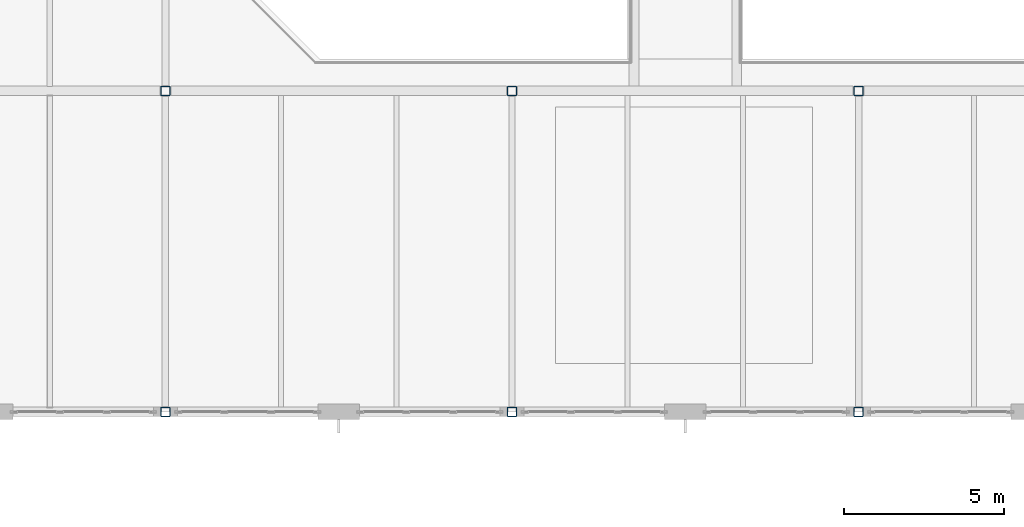
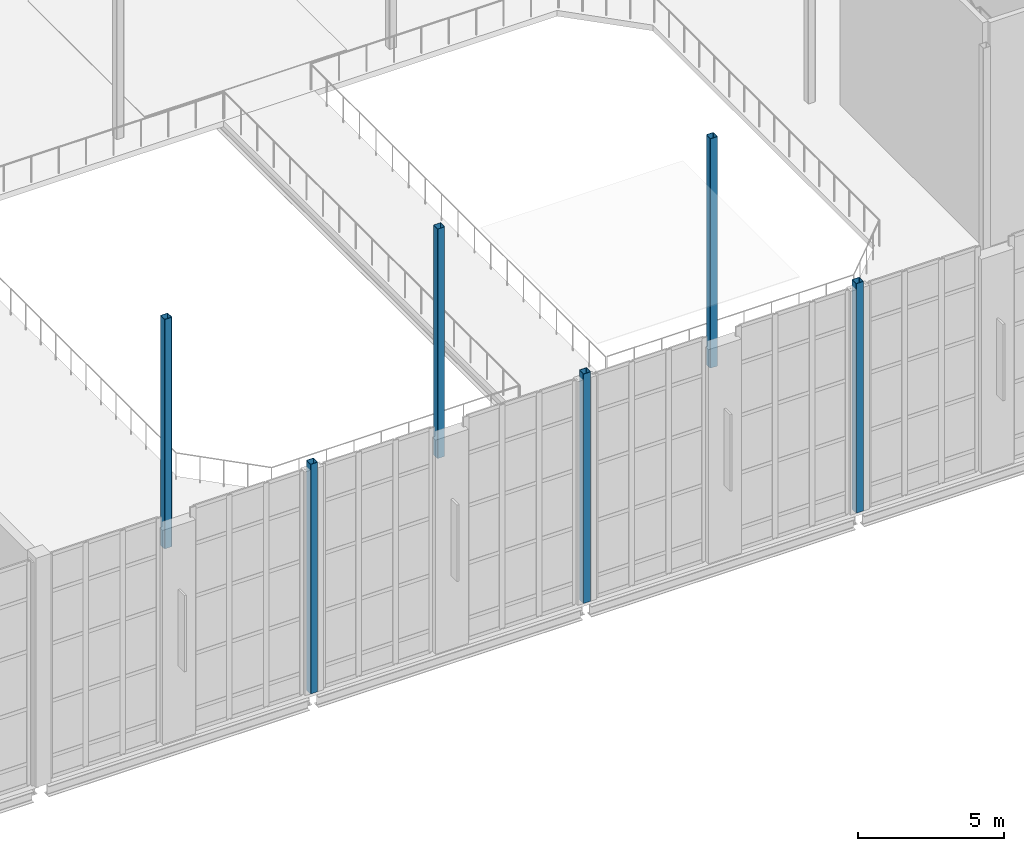
# One storey, part 4 of 100: 6 columns.
"""IFC4 building model written with IfcOpenShell, lengths in metres."""

from ifc_helpers import new_model, si_unit, direction, frame, origin, origin_2d, place, context, subcontext, project, spatial, hollow_rectangle, extrude, material, material_profile, profile_set, type_object, element, save


model = new_model("IFC4")

# Units and contexts
model_context = context("Model", 3, precision=1e-05, world=origin(), true_north=direction((0.0, 1.0)))
body_context = subcontext(model_context, "Body", "Model", "MODEL_VIEW")
ifc_project = project(units=[si_unit("LENGTHUNIT", "METRE"), si_unit("AREAUNIT", "SQUARE_METRE"), si_unit("VOLUMEUNIT", "CUBIC_METRE"), si_unit("PLANEANGLEUNIT", "RADIAN"), si_unit("MASSUNIT", "GRAM", prefix="KILO")], contexts=[model_context])

# Site, building, storey
site_placement = place(None, origin())
site = spatial("IfcSite", under=ifc_project, at=site_placement, CompositionType="ELEMENT")
building_placement = place(site_placement, origin())
building = spatial("IfcBuilding", under=site, at=building_placement, Name="Tasgan Crest Museum", CompositionType="ELEMENT")
storey_placement = place(building_placement, frame((0.0, 0.0, 14.39990234375)))
storey = spatial("IfcBuildingStorey", under=building, at=storey_placement, Name="L03", CompositionType="ELEMENT", Elevation=14.39990234375)

# Columns
ifc_material = material(Name="Steel S355K2", Category="steel")
ifc_material_profile = material_profile(ifc_material, hollow_rectangle(XDim=0.300048828125, YDim=0.300048828125, WallThickness=0.01611328125, InnerFilletRadius=0.01611328125, OuterFilletRadius=0.031982421875, at=origin_2d()), Name="SHS 300x300x16")
ifc_profile_set = profile_set([ifc_material_profile], Name="Steel S355K2")
column_type = type_object("IfcColumnType", Name="COL-SHS300", PredefinedType="COLUMN", material=ifc_profile_set)
for number, where, z_axis, x_axis, name in (
    (1, (64.800048828125, 40.0, 0.0), (0.0, 0.0, 1.0), (1.0, 0.0, 0.0), "Column 7/E L03"),
    (2, (64.800048828125, 50.0, 0.0), (0.0, 0.0, 1.0), (1.0, 0.0, 0.0), "Column 7/F L03"),
    (3, (75.60009765625, 40.0, 0.0), (0.0, 0.0, 1.0), (1.0, 0.0, 0.0), "Column 8/E L03"),
    (4, (75.60009765625, 50.0, 0.0), (0.0, 0.0, 1.0), (1.0, 0.0, 0.0), "Column 8/F L03"),
    (5, (86.39990234375, 40.0, 0.0), (0.0, 0.0, 1.0), (1.0, 0.0, 0.0), "Column 9/E L03"),
    (6, (86.39990234375, 50.0, 0.0), (0.0, 0.0, 1.0), (1.0, 0.0, 0.0), "Column 9/F L03"),
):
    element("IfcColumn", number, at=place(storey_placement, frame(where, z_axis=z_axis, x_axis=x_axis)), inside=storey, type_object=column_type, Name=name, PredefinedType="COLUMN", context=body_context, shape_type="SweptSolid", body=[
        extrude(hollow_rectangle(XDim=0.300048828125, YDim=0.300048828125, WallThickness=0.01611328125, InnerFilletRadius=0.01611328125, OuterFilletRadius=0.031982421875, at=origin_2d()), origin(), (0.0, 0.0, 1.0), 9.60009765625),
    ])

save(model, "model.ifc")
